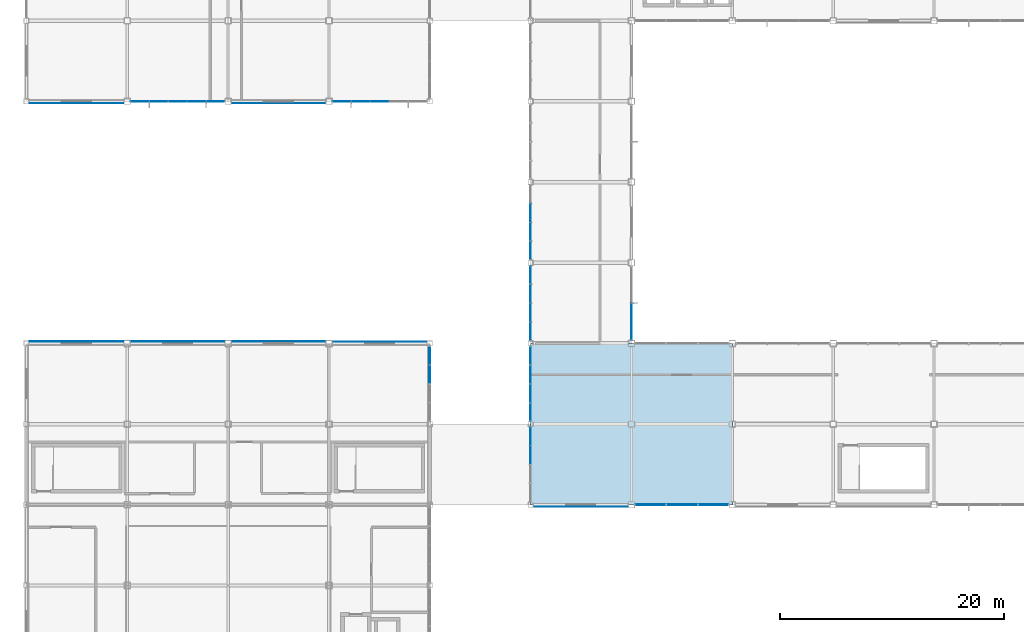
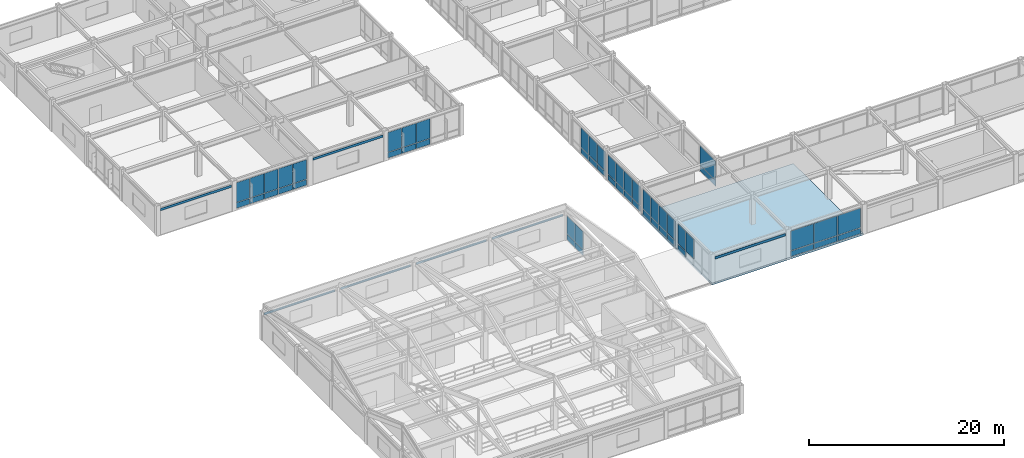
# One storey, part 84 of 113: 60 plates, 1 slab, 9 elements without a shape of their own.
"""IFC4 building model written with IfcOpenShell, lengths in metres."""

from ifc_helpers import new_model, si_unit, direction, frame, origin, origin_2d, place, context, subcontext, project, spatial, polyline, rectangle, outline, extrude, material, layer, layer_set, type_object, element, aggregate, save


model = new_model("IFC4")

# Units and contexts
model_context = context("Model", 3, precision=1e-05, world=origin(), true_north=direction((0.0, 1.0)))
body_context = subcontext(model_context, "Body", "Model", "MODEL_VIEW")
ifc_project = project(units=[si_unit("LENGTHUNIT", "METRE"), si_unit("AREAUNIT", "SQUARE_METRE"), si_unit("VOLUMEUNIT", "CUBIC_METRE"), si_unit("PLANEANGLEUNIT", "RADIAN"), si_unit("MASSUNIT", "GRAM", prefix="KILO")], contexts=[model_context])

# Site, building, storey
site_placement = place(None, origin())
site = spatial("IfcSite", under=ifc_project, at=site_placement, CompositionType="ELEMENT")
building_placement = place(site_placement, origin())
building = spatial("IfcBuilding", under=site, at=building_placement, Name="Kazanami Central Library", CompositionType="ELEMENT")
storey_placement = place(building_placement, frame((0.0, 0.0, 8.800048828125)))
storey = spatial("IfcBuildingStorey", under=building, at=storey_placement, Name="L03", CompositionType="ELEMENT", Elevation=8.800048828125)

# Curtain wall, plates
ifc_material_1 = material(Name="Acid-Etched Low-E Laminated Glass", Category="glass")
curtain_wall_type_1 = type_object("IfcCurtainWallType", Name="CW-8450x3330-M275", PredefinedType="USERDEFINED", material=ifc_material_1)
curtain_wall_1_placement = place(storey_placement, origin())
curtain_wall_1 = element("IfcCurtainWall", 1, at=curtain_wall_1_placement, inside=storey, type_object=curtain_wall_type_1, Name="Unitised Curtain Wall CW-25 L03 S-D-06", ObjectType="UNITISED CURTAIN WALL", PredefinedType="USERDEFINED")
ifc_layer_1 = layer(ifc_material_1, 0.035888671875, Name="Acid-Etched Low-E Laminated Glass")
ifc_layer_set_1 = layer_set([ifc_layer_1], Name="Acid-Etched Low-E Laminated Glass")
plate_type_1 = type_object("IfcPlateType", Name="PLT-CW-P1", PredefinedType="CURTAIN_PANEL", material=ifc_layer_set_1)
plate_1_placement = place(storey_placement, frame((55.700927734375, 21.60009765625, 0.81494140625), z_axis=(0.0, 0.0, 1.0), x_axis=(1.0, 0.0, 0.0)))
plate_1 = element("IfcPlate", 2, at=plate_1_placement, type_object=plate_type_1, Name="CW-25 panel 1.2", PredefinedType="CURTAIN_PANEL", context=body_context, shape_type="SweptSolid", body=[
    extrude(rectangle(XDim=2.711669921875, YDim=0.035888671875, at=origin_2d()), origin(), (0.0, 0.0, 1.0), 2.445068359375),
])
plate_2_placement = place(storey_placement, frame((58.5, 21.60009765625, 0.81494140625), z_axis=(0.0, 0.0, 1.0), x_axis=(1.0, 0.0, 0.0)))
plate_2 = element("IfcPlate", 3, at=plate_2_placement, type_object=plate_type_1, Name="CW-25 panel 2.2", PredefinedType="CURTAIN_PANEL", context=body_context, shape_type="SweptSolid", body=[
    extrude(rectangle(XDim=2.74658203125, YDim=0.035888671875, at=origin_2d()), origin(), (0.0, 0.0, 1.0), 2.445068359375),
])
plate_3_placement = place(storey_placement, frame((61.299072265625, 21.60009765625, 0.81494140625), z_axis=(0.0, 0.0, 1.0), x_axis=(1.0, 0.0, 0.0)))
plate_3 = element("IfcPlate", 4, at=plate_3_placement, type_object=plate_type_1, Name="CW-25 panel 3.2", PredefinedType="CURTAIN_PANEL", context=body_context, shape_type="SweptSolid", body=[
    extrude(rectangle(XDim=2.711669921875, YDim=0.035888671875, at=origin_2d()), origin(), (0.0, 0.0, 1.0), 2.445068359375),
])

curtain_wall_type_2 = type_object("IfcCurtainWallType", Name="CW-8450x3330-M180", PredefinedType="USERDEFINED", material=ifc_material_1)
curtain_wall_2_placement = place(storey_placement, origin())
curtain_wall_2 = element("IfcCurtainWall", 5, at=curtain_wall_2_placement, inside=storey, type_object=curtain_wall_type_2, Name="Unitised Curtain Wall CW-27 L03 S-J-01", ObjectType="UNITISED CURTAIN WALL", PredefinedType="USERDEFINED")
ifc_layer_2 = layer(ifc_material_1, 0.0439453125, Name="Acid-Etched Low-E Laminated Glass")
ifc_layer_set_2 = layer_set([ifc_layer_2], Name="Acid-Etched Low-E Laminated Glass")
plate_type_2 = type_object("IfcPlateType", Name="PLT-CW-P2", PredefinedType="CURTAIN_PANEL", material=ifc_layer_set_2)
plate_4_placement = place(storey_placement, frame((10.135009765625, 57.60009765625, 0.81005859375), z_axis=(0.0, 0.0, 1.0), x_axis=(1.0, 0.0, 0.0)))
plate_4 = element("IfcPlate", 6, at=plate_4_placement, type_object=plate_type_2, Name="CW-27 panel 1.2", PredefinedType="CURTAIN_PANEL", context=body_context, shape_type="SweptSolid", body=[
    extrude(rectangle(XDim=1.60009765625, YDim=0.0439453125, at=origin_2d()), origin(), (0.0, 0.0, 1.0), 2.4599609375),
])
plate_5_placement = place(storey_placement, frame((11.81005859375, 57.60009765625, 0.81005859375), z_axis=(0.0, 0.0, 1.0), x_axis=(1.0, 0.0, 0.0)))
plate_5 = element("IfcPlate", 7, at=plate_5_placement, type_object=plate_type_2, Name="CW-27 panel 2.2", PredefinedType="CURTAIN_PANEL", context=body_context, shape_type="SweptSolid", body=[
    extrude(rectangle(XDim=1.6298828125, YDim=0.0439453125, at=origin_2d()), origin(), (0.0, 0.0, 1.0), 2.4599609375),
])
plate_6_placement = place(storey_placement, frame((13.5, 57.60009765625, 0.81005859375), z_axis=(0.0, 0.0, 1.0), x_axis=(1.0, 0.0, 0.0)))
plate_6 = element("IfcPlate", 8, at=plate_6_placement, type_object=plate_type_2, Name="CW-27 panel 3.2", PredefinedType="CURTAIN_PANEL", context=body_context, shape_type="SweptSolid", body=[
    extrude(rectangle(XDim=1.6298828125, YDim=0.0439453125, at=origin_2d()), origin(), (0.0, 0.0, 1.0), 2.4599609375),
])
plate_7_placement = place(storey_placement, frame((15.18994140625, 57.60009765625, 0.81005859375), z_axis=(0.0, 0.0, 1.0), x_axis=(1.0, 0.0, 0.0)))
plate_7 = element("IfcPlate", 9, at=plate_7_placement, type_object=plate_type_2, Name="CW-27 panel 4.2", PredefinedType="CURTAIN_PANEL", context=body_context, shape_type="SweptSolid", body=[
    extrude(rectangle(XDim=1.6298828125, YDim=0.0439453125, at=origin_2d()), origin(), (0.0, 0.0, 1.0), 2.4599609375),
])
plate_8_placement = place(storey_placement, frame((16.864990234375, 57.60009765625, 0.81005859375), z_axis=(0.0, 0.0, 1.0), x_axis=(1.0, 0.0, 0.0)))
plate_8 = element("IfcPlate", 10, at=plate_8_placement, type_object=plate_type_2, Name="CW-27 panel 5.2", PredefinedType="CURTAIN_PANEL", context=body_context, shape_type="SweptSolid", body=[
    extrude(rectangle(XDim=1.60009765625, YDim=0.0439453125, at=origin_2d()), origin(), (0.0, 0.0, 1.0), 2.4599609375),
])

curtain_wall_type_3 = type_object("IfcCurtainWallType", Name="CW-8500x3330-M180", PredefinedType="USERDEFINED", material=ifc_material_1)
curtain_wall_3_placement = place(storey_placement, origin())
curtain_wall_3 = element("IfcCurtainWall", 11, at=curtain_wall_3_placement, inside=storey, type_object=curtain_wall_type_3, Name="Unitised Curtain Wall CW-28 L03 S-J-03", ObjectType="UNITISED CURTAIN WALL", PredefinedType="USERDEFINED")
plate_9_placement = place(storey_placement, frame((28.139892578125, 57.60009765625, 0.81005859375), z_axis=(0.0, 0.0, 1.0), x_axis=(1.0, 0.0, 0.0)))
plate_9 = element("IfcPlate", 12, at=plate_9_placement, type_object=plate_type_2, Name="CW-28 panel 1.2", PredefinedType="CURTAIN_PANEL", context=body_context, shape_type="SweptSolid", body=[
    extrude(rectangle(XDim=1.610107421875, YDim=0.0439453125, at=origin_2d()), origin(), (0.0, 0.0, 1.0), 2.4599609375),
])
plate_10_placement = place(storey_placement, frame((29.824951171875, 57.60009765625, 0.81005859375), z_axis=(0.0, 0.0, 1.0), x_axis=(1.0, 0.0, 0.0)))
plate_10 = element("IfcPlate", 13, at=plate_10_placement, type_object=plate_type_2, Name="CW-28 panel 2.2", PredefinedType="CURTAIN_PANEL", context=body_context, shape_type="SweptSolid", body=[
    extrude(rectangle(XDim=1.639892578125, YDim=0.0439453125, at=origin_2d()), origin(), (0.0, 0.0, 1.0), 2.4599609375),
])
plate_11_placement = place(storey_placement, frame((31.52490234375, 57.60009765625, 0.81005859375), z_axis=(0.0, 0.0, 1.0), x_axis=(1.0, 0.0, 0.0)))
plate_11 = element("IfcPlate", 14, at=plate_11_placement, type_object=plate_type_2, Name="CW-28 panel 3.2", PredefinedType="CURTAIN_PANEL", context=body_context, shape_type="SweptSolid", body=[
    extrude(rectangle(XDim=1.639892578125, YDim=0.0439453125, at=origin_2d()), origin(), (0.0, 0.0, 1.0), 2.4599609375),
])

# Curtain wall, plate
curtain_wall_type_4 = type_object("IfcCurtainWallType", Name="CW-6650x3295-M275", PredefinedType="USERDEFINED", material=ifc_material_1)
curtain_wall_4_placement = place(storey_placement, origin())
curtain_wall_4 = element("IfcCurtainWall", 15, at=curtain_wall_4_placement, inside=storey, type_object=curtain_wall_type_4, Name="Unitised Curtain Wall CW-35 L03 E-7-05", ObjectType="UNITISED CURTAIN WALL", PredefinedType="USERDEFINED")
plate_12_placement = place(storey_placement, frame((54.0, 37.955078125, 0.81494140625), z_axis=(0.0, 0.0, 1.0), x_axis=(0.0, -1.0, 0.0)))
plate_12 = element("IfcPlate", 16, at=plate_12_placement, type_object=plate_type_2, Name="CW-35 panel 2.2", PredefinedType="CURTAIN_PANEL", context=body_context, shape_type="SweptSolid", body=[
    extrude(rectangle(XDim=3.219970703125, YDim=0.0439453125, at=origin_2d()), origin(), (0.0, 0.0, 1.0), 2.409912109375),
])

# Curtain wall, plates
curtain_wall_type_5 = type_object("IfcCurtainWallType", Name="CW-6750x3130-M180", PredefinedType="USERDEFINED", material=ifc_material_1)
curtain_wall_5_placement = place(storey_placement, origin())
curtain_wall_5 = element("IfcCurtainWall", 17, at=curtain_wall_5_placement, inside=storey, type_object=curtain_wall_type_5, Name="Covered Link Bridge Curtain Wall CW-33 L03 E-5-04", ObjectType="UNITISED CURTAIN WALL", PredefinedType="USERDEFINED")
ifc_material_2 = material(Name="Low-E Insulated Triple Glass", Category="glass")
ifc_layer_3 = layer(ifc_material_2, 0.0400390625, Name="Low-E Insulated Triple Glass")
ifc_layer_set_3 = layer_set([ifc_layer_3], Name="Low-E Insulated Triple Glass")
plate_type_3 = type_object("IfcPlateType", Name="PLT-CW-P3", PredefinedType="CURTAIN_PANEL", material=ifc_layer_set_3)
plate_13_placement = place(storey_placement, frame((36.0, 34.916259765625, 0.81005859375), z_axis=(0.0, 0.0, 1.0), x_axis=(0.0, -1.0, 0.0)))
plate_13 = element("IfcPlate", 18, at=plate_13_placement, type_object=plate_type_3, Name="CW-33 panel 1.2", PredefinedType="CURTAIN_PANEL", context=body_context, shape_type="SweptSolid", body=[
    extrude(rectangle(XDim=1.597412109375, YDim=0.0400390625, at=origin_2d()), origin(), (0.0, 0.0, 1.0), 2.260009765625),
])
plate_14_placement = place(storey_placement, frame((36.0, 33.24365234375, 0.81005859375), z_axis=(0.0, 0.0, 1.0), x_axis=(0.0, -1.0, 0.0)))
plate_14 = element("IfcPlate", 19, at=plate_14_placement, type_object=plate_type_3, Name="CW-33 panel 2.2", PredefinedType="CURTAIN_PANEL", context=body_context, shape_type="SweptSolid", body=[
    extrude(rectangle(XDim=1.62744140625, YDim=0.0400390625, at=origin_2d()), origin(), (0.0, 0.0, 1.0), 2.260009765625),
])

curtain_wall_type_6 = type_object("IfcCurtainWallType", Name="CW-6750x3330-M180", PredefinedType="USERDEFINED", material=ifc_material_1)
curtain_wall_6_placement = place(storey_placement, origin())
curtain_wall_6 = element("IfcCurtainWall", 20, at=curtain_wall_6_placement, inside=storey, type_object=curtain_wall_type_6, Name="Covered Link Bridge Curtain Wall CW-34 L03 W-6-03", ObjectType="UNITISED CURTAIN WALL", PredefinedType="USERDEFINED")
plate_15_placement = place(storey_placement, frame((45.0, 26.043701171875, 0.81494140625), z_axis=(0.0, 0.0, 1.0), x_axis=(0.0, 1.0, 0.0)))
plate_15 = element("IfcPlate", 21, at=plate_15_placement, type_object=plate_type_3, Name="CW-34 panel 3.2", PredefinedType="CURTAIN_PANEL", context=body_context, shape_type="SweptSolid", body=[
    extrude(rectangle(XDim=1.617431640625, YDim=0.0400390625, at=origin_2d()), origin(), (0.0, 0.0, 1.0), 2.445068359375),
])
plate_16_placement = place(storey_placement, frame((45.0, 27.7138671875, 0.81494140625), z_axis=(0.0, 0.0, 1.0), x_axis=(0.0, 1.0, 0.0)))
plate_16 = element("IfcPlate", 22, at=plate_16_placement, type_object=plate_type_3, Name="CW-34 panel 4.2", PredefinedType="CURTAIN_PANEL", context=body_context, shape_type="SweptSolid", body=[
    extrude(rectangle(XDim=1.58251953125, YDim=0.0400390625, at=origin_2d()), origin(), (0.0, 0.0, 1.0), 2.445068359375),
])

curtain_wall_7_placement = place(storey_placement, origin())
curtain_wall_7 = element("IfcCurtainWall", 23, at=curtain_wall_7_placement, inside=storey, type_object=curtain_wall_type_6, Name="Covered Link Bridge Curtain Wall CW-34 L03 W-6-04", ObjectType="UNITISED CURTAIN WALL", PredefinedType="USERDEFINED")
plate_17_placement = place(storey_placement, frame((45.0, 29.88623046875, 0.81494140625), z_axis=(0.0, 0.0, 1.0), x_axis=(0.0, 1.0, 0.0)))
plate_17 = element("IfcPlate", 24, at=plate_17_placement, type_object=plate_type_3, Name="CW-34 panel 1.2", PredefinedType="CURTAIN_PANEL", context=body_context, shape_type="SweptSolid", body=[
    extrude(rectangle(XDim=1.58251953125, YDim=0.0400390625, at=origin_2d()), origin(), (0.0, 0.0, 1.0), 2.445068359375),
])
plate_18_placement = place(storey_placement, frame((45.0, 31.55615234375, 0.81494140625), z_axis=(0.0, 0.0, 1.0), x_axis=(0.0, 1.0, 0.0)))
plate_18 = element("IfcPlate", 25, at=plate_18_placement, type_object=plate_type_3, Name="CW-34 panel 2.2", PredefinedType="CURTAIN_PANEL", context=body_context, shape_type="SweptSolid", body=[
    extrude(rectangle(XDim=1.617431640625, YDim=0.0400390625, at=origin_2d()), origin(), (0.0, 0.0, 1.0), 2.445068359375),
])
plate_19_placement = place(storey_placement, frame((45.0, 33.24365234375, 0.81494140625), z_axis=(0.0, 0.0, 1.0), x_axis=(0.0, 1.0, 0.0)))
plate_19 = element("IfcPlate", 26, at=plate_19_placement, type_object=plate_type_3, Name="CW-34 panel 3.2", PredefinedType="CURTAIN_PANEL", context=body_context, shape_type="SweptSolid", body=[
    extrude(rectangle(XDim=1.617431640625, YDim=0.0400390625, at=origin_2d()), origin(), (0.0, 0.0, 1.0), 2.445068359375),
])
plate_20_placement = place(storey_placement, frame((45.0, 34.913818359375, 0.81494140625), z_axis=(0.0, 0.0, 1.0), x_axis=(0.0, 1.0, 0.0)))
plate_20 = element("IfcPlate", 27, at=plate_20_placement, type_object=plate_type_3, Name="CW-34 panel 4.2", PredefinedType="CURTAIN_PANEL", context=body_context, shape_type="SweptSolid", body=[
    extrude(rectangle(XDim=1.58251953125, YDim=0.0400390625, at=origin_2d()), origin(), (0.0, 0.0, 1.0), 2.445068359375),
])

curtain_wall_type_7 = type_object("IfcCurtainWallType", Name="CW-6750x3295-M180", PredefinedType="USERDEFINED", material=ifc_material_1)
curtain_wall_8_placement = place(storey_placement, origin())
curtain_wall_8 = element("IfcCurtainWall", 28, at=curtain_wall_8_placement, inside=storey, type_object=curtain_wall_type_7, Name="Covered Link Bridge Curtain Wall CW-32 L03 W-6-05", ObjectType="UNITISED CURTAIN WALL", PredefinedType="USERDEFINED")
plate_21_placement = place(storey_placement, frame((45.0, 37.086181640625, 0.81494140625), z_axis=(0.0, 0.0, 1.0), x_axis=(0.0, 1.0, 0.0)))
plate_21 = element("IfcPlate", 29, at=plate_21_placement, type_object=plate_type_3, Name="CW-32 panel 1.2", PredefinedType="CURTAIN_PANEL", context=body_context, shape_type="SweptSolid", body=[
    extrude(rectangle(XDim=1.58251953125, YDim=0.0400390625, at=origin_2d()), origin(), (0.0, 0.0, 1.0), 2.409912109375),
])
plate_22_placement = place(storey_placement, frame((45.0, 38.75634765625, 0.81494140625), z_axis=(0.0, 0.0, 1.0), x_axis=(0.0, 1.0, 0.0)))
plate_22 = element("IfcPlate", 30, at=plate_22_placement, type_object=plate_type_3, Name="CW-32 panel 2.2", PredefinedType="CURTAIN_PANEL", context=body_context, shape_type="SweptSolid", body=[
    extrude(rectangle(XDim=1.617431640625, YDim=0.0400390625, at=origin_2d()), origin(), (0.0, 0.0, 1.0), 2.409912109375),
])
plate_23_placement = place(storey_placement, frame((45.0, 40.44384765625, 0.81494140625), z_axis=(0.0, 0.0, 1.0), x_axis=(0.0, 1.0, 0.0)))
plate_23 = element("IfcPlate", 31, at=plate_23_placement, type_object=plate_type_3, Name="CW-32 panel 3.2", PredefinedType="CURTAIN_PANEL", context=body_context, shape_type="SweptSolid", body=[
    extrude(rectangle(XDim=1.617431640625, YDim=0.0400390625, at=origin_2d()), origin(), (0.0, 0.0, 1.0), 2.409912109375),
])
plate_24_placement = place(storey_placement, frame((45.0, 42.11376953125, 0.81494140625), z_axis=(0.0, 0.0, 1.0), x_axis=(0.0, 1.0, 0.0)))
plate_24 = element("IfcPlate", 32, at=plate_24_placement, type_object=plate_type_3, Name="CW-32 panel 4.2", PredefinedType="CURTAIN_PANEL", context=body_context, shape_type="SweptSolid", body=[
    extrude(rectangle(XDim=1.58251953125, YDim=0.0400390625, at=origin_2d()), origin(), (0.0, 0.0, 1.0), 2.409912109375),
])

curtain_wall_9_placement = place(storey_placement, origin())
curtain_wall_9 = element("IfcCurtainWall", 33, at=curtain_wall_9_placement, inside=storey, type_object=curtain_wall_type_7, Name="Covered Link Bridge Curtain Wall CW-32 L03 W-6-06", ObjectType="UNITISED CURTAIN WALL", PredefinedType="USERDEFINED")
plate_25_placement = place(storey_placement, frame((45.0, 44.2861328125, 0.81494140625), z_axis=(0.0, 0.0, 1.0), x_axis=(0.0, 1.0, 0.0)))
plate_25 = element("IfcPlate", 34, at=plate_25_placement, type_object=plate_type_3, Name="CW-32 panel 1.2", PredefinedType="CURTAIN_PANEL", context=body_context, shape_type="SweptSolid", body=[
    extrude(rectangle(XDim=1.58251953125, YDim=0.0400390625, at=origin_2d()), origin(), (0.0, 0.0, 1.0), 2.409912109375),
])
plate_26_placement = place(storey_placement, frame((45.0, 45.956298828125, 0.81494140625), z_axis=(0.0, 0.0, 1.0), x_axis=(0.0, 1.0, 0.0)))
plate_26 = element("IfcPlate", 35, at=plate_26_placement, type_object=plate_type_3, Name="CW-32 panel 2.2", PredefinedType="CURTAIN_PANEL", context=body_context, shape_type="SweptSolid", body=[
    extrude(rectangle(XDim=1.617431640625, YDim=0.0400390625, at=origin_2d()), origin(), (0.0, 0.0, 1.0), 2.409912109375),
])
plate_27_placement = place(storey_placement, frame((45.0, 47.643798828125, 0.81494140625), z_axis=(0.0, 0.0, 1.0), x_axis=(0.0, 1.0, 0.0)))
plate_27 = element("IfcPlate", 36, at=plate_27_placement, type_object=plate_type_3, Name="CW-32 panel 3.2", PredefinedType="CURTAIN_PANEL", context=body_context, shape_type="SweptSolid", body=[
    extrude(rectangle(XDim=1.617431640625, YDim=0.0400390625, at=origin_2d()), origin(), (0.0, 0.0, 1.0), 2.409912109375),
])

# Plate
ifc_material_3 = material(Name="Anodised Aluminium A5052-H32", Category="aluminium")
ifc_layer_4 = layer(ifc_material_3, 0.06005859375, Name="Anodised Aluminium A5052-H32")
ifc_layer_set_4 = layer_set([ifc_layer_4], Name="Anodised Aluminium A5052-H32")
plate_type_4 = type_object("IfcPlateType", Name="PLT-CW-SP1", PredefinedType="CURTAIN_PANEL", material=ifc_layer_set_4)
plate_28_placement = place(storey_placement, frame((55.700927734375, 21.60009765625, 0.06982421875), z_axis=(0.0, 0.0, 1.0), x_axis=(1.0, 0.0, 0.0)))
plate_28 = element("IfcPlate", 37, at=plate_28_placement, type_object=plate_type_4, Name="CW-25 panel 1.1", PredefinedType="CURTAIN_PANEL", context=body_context, shape_type="SweptSolid", body=[
    extrude(rectangle(XDim=2.711669921875, YDim=0.06005859375, at=origin_2d()), origin(), (0.0, 0.0, 1.0), 0.675048828125),
])

plate_29_placement = place(storey_placement, frame((58.5, 21.60009765625, 0.06982421875), z_axis=(0.0, 0.0, 1.0), x_axis=(1.0, 0.0, 0.0)))
plate_29 = element("IfcPlate", 38, at=plate_29_placement, type_object=plate_type_4, Name="CW-25 panel 2.1", PredefinedType="CURTAIN_PANEL", context=body_context, shape_type="SweptSolid", body=[
    extrude(rectangle(XDim=2.74658203125, YDim=0.06005859375, at=origin_2d()), origin(), (0.0, 0.0, 1.0), 0.675048828125),
])

plate_30_placement = place(storey_placement, frame((61.299072265625, 21.60009765625, 0.06982421875), z_axis=(0.0, 0.0, 1.0), x_axis=(1.0, 0.0, 0.0)))
plate_30 = element("IfcPlate", 39, at=plate_30_placement, type_object=plate_type_4, Name="CW-25 panel 3.1", PredefinedType="CURTAIN_PANEL", context=body_context, shape_type="SweptSolid", body=[
    extrude(rectangle(XDim=2.711669921875, YDim=0.06005859375, at=origin_2d()), origin(), (0.0, 0.0, 1.0), 0.675048828125),
])

aggregate(curtain_wall_1, [plate_28, plate_1, plate_29, plate_2, plate_30, plate_3])

plate_31_placement = place(storey_placement, frame((45.0, 27.7138671875, 0.06982421875), z_axis=(0.0, 0.0, 1.0), x_axis=(0.0, 1.0, 0.0)))
plate_31 = element("IfcPlate", 40, at=plate_31_placement, type_object=plate_type_4, Name="CW-34 panel 4.1", PredefinedType="CURTAIN_PANEL", context=body_context, shape_type="SweptSolid", body=[
    extrude(rectangle(XDim=1.58251953125, YDim=0.06005859375, at=origin_2d()), origin(), (0.0, 0.0, 1.0), 0.675048828125),
])

aggregate(curtain_wall_6, [plate_15, plate_31, plate_16])

plate_32_placement = place(storey_placement, frame((45.0, 29.88623046875, 0.06982421875), z_axis=(0.0, 0.0, 1.0), x_axis=(0.0, 1.0, 0.0)))
plate_32 = element("IfcPlate", 41, at=plate_32_placement, type_object=plate_type_4, Name="CW-34 panel 1.1", PredefinedType="CURTAIN_PANEL", context=body_context, shape_type="SweptSolid", body=[
    extrude(rectangle(XDim=1.58251953125, YDim=0.06005859375, at=origin_2d()), origin(), (0.0, 0.0, 1.0), 0.675048828125),
])

plate_33_placement = place(storey_placement, frame((45.0, 31.55615234375, 0.06982421875), z_axis=(0.0, 0.0, 1.0), x_axis=(0.0, 1.0, 0.0)))
plate_33 = element("IfcPlate", 42, at=plate_33_placement, type_object=plate_type_4, Name="CW-34 panel 2.1", PredefinedType="CURTAIN_PANEL", context=body_context, shape_type="SweptSolid", body=[
    extrude(rectangle(XDim=1.617431640625, YDim=0.06005859375, at=origin_2d()), origin(), (0.0, 0.0, 1.0), 0.675048828125),
])

plate_34_placement = place(storey_placement, frame((45.0, 33.24365234375, 0.06982421875), z_axis=(0.0, 0.0, 1.0), x_axis=(0.0, 1.0, 0.0)))
plate_34 = element("IfcPlate", 43, at=plate_34_placement, type_object=plate_type_4, Name="CW-34 panel 3.1", PredefinedType="CURTAIN_PANEL", context=body_context, shape_type="SweptSolid", body=[
    extrude(rectangle(XDim=1.617431640625, YDim=0.06005859375, at=origin_2d()), origin(), (0.0, 0.0, 1.0), 0.675048828125),
])

plate_35_placement = place(storey_placement, frame((45.0, 34.913818359375, 0.06982421875), z_axis=(0.0, 0.0, 1.0), x_axis=(0.0, 1.0, 0.0)))
plate_35 = element("IfcPlate", 44, at=plate_35_placement, type_object=plate_type_4, Name="CW-34 panel 4.1", PredefinedType="CURTAIN_PANEL", context=body_context, shape_type="SweptSolid", body=[
    extrude(rectangle(XDim=1.58251953125, YDim=0.06005859375, at=origin_2d()), origin(), (0.0, 0.0, 1.0), 0.675048828125),
])

aggregate(curtain_wall_7, [plate_32, plate_17, plate_33, plate_18, plate_34, plate_19, plate_35, plate_20])

plate_36_placement = place(storey_placement, frame((45.0, 37.086181640625, 0.06982421875), z_axis=(0.0, 0.0, 1.0), x_axis=(0.0, 1.0, 0.0)))
plate_36 = element("IfcPlate", 45, at=plate_36_placement, type_object=plate_type_4, Name="CW-32 panel 1.1", PredefinedType="CURTAIN_PANEL", context=body_context, shape_type="SweptSolid", body=[
    extrude(rectangle(XDim=1.58251953125, YDim=0.06005859375, at=origin_2d()), origin(), (0.0, 0.0, 1.0), 0.675048828125),
])

plate_37_placement = place(storey_placement, frame((45.0, 38.75634765625, 0.06982421875), z_axis=(0.0, 0.0, 1.0), x_axis=(0.0, 1.0, 0.0)))
plate_37 = element("IfcPlate", 46, at=plate_37_placement, type_object=plate_type_4, Name="CW-32 panel 2.1", PredefinedType="CURTAIN_PANEL", context=body_context, shape_type="SweptSolid", body=[
    extrude(rectangle(XDim=1.617431640625, YDim=0.06005859375, at=origin_2d()), origin(), (0.0, 0.0, 1.0), 0.675048828125),
])

plate_38_placement = place(storey_placement, frame((45.0, 40.44384765625, 0.06982421875), z_axis=(0.0, 0.0, 1.0), x_axis=(0.0, 1.0, 0.0)))
plate_38 = element("IfcPlate", 47, at=plate_38_placement, type_object=plate_type_4, Name="CW-32 panel 3.1", PredefinedType="CURTAIN_PANEL", context=body_context, shape_type="SweptSolid", body=[
    extrude(rectangle(XDim=1.617431640625, YDim=0.06005859375, at=origin_2d()), origin(), (0.0, 0.0, 1.0), 0.675048828125),
])

plate_39_placement = place(storey_placement, frame((45.0, 42.11376953125, 0.06982421875), z_axis=(0.0, 0.0, 1.0), x_axis=(0.0, 1.0, 0.0)))
plate_39 = element("IfcPlate", 48, at=plate_39_placement, type_object=plate_type_4, Name="CW-32 panel 4.1", PredefinedType="CURTAIN_PANEL", context=body_context, shape_type="SweptSolid", body=[
    extrude(rectangle(XDim=1.58251953125, YDim=0.06005859375, at=origin_2d()), origin(), (0.0, 0.0, 1.0), 0.675048828125),
])

aggregate(curtain_wall_8, [plate_36, plate_21, plate_37, plate_22, plate_38, plate_23, plate_39, plate_24])

plate_40_placement = place(storey_placement, frame((45.0, 44.2861328125, 0.06982421875), z_axis=(0.0, 0.0, 1.0), x_axis=(0.0, 1.0, 0.0)))
plate_40 = element("IfcPlate", 49, at=plate_40_placement, type_object=plate_type_4, Name="CW-32 panel 1.1", PredefinedType="CURTAIN_PANEL", context=body_context, shape_type="SweptSolid", body=[
    extrude(rectangle(XDim=1.58251953125, YDim=0.06005859375, at=origin_2d()), origin(), (0.0, 0.0, 1.0), 0.675048828125),
])

plate_41_placement = place(storey_placement, frame((45.0, 45.956298828125, 0.06982421875), z_axis=(0.0, 0.0, 1.0), x_axis=(0.0, 1.0, 0.0)))
plate_41 = element("IfcPlate", 50, at=plate_41_placement, type_object=plate_type_4, Name="CW-32 panel 2.1", PredefinedType="CURTAIN_PANEL", context=body_context, shape_type="SweptSolid", body=[
    extrude(rectangle(XDim=1.617431640625, YDim=0.06005859375, at=origin_2d()), origin(), (0.0, 0.0, 1.0), 0.675048828125),
])

plate_42_placement = place(storey_placement, frame((45.0, 47.643798828125, 0.06982421875), z_axis=(0.0, 0.0, 1.0), x_axis=(0.0, 1.0, 0.0)))
plate_42 = element("IfcPlate", 51, at=plate_42_placement, type_object=plate_type_4, Name="CW-32 panel 3.1", PredefinedType="CURTAIN_PANEL", context=body_context, shape_type="SweptSolid", body=[
    extrude(rectangle(XDim=1.617431640625, YDim=0.06005859375, at=origin_2d()), origin(), (0.0, 0.0, 1.0), 0.675048828125),
])

aggregate(curtain_wall_9, [plate_40, plate_25, plate_41, plate_26, plate_42, plate_27])

plate_43_placement = place(storey_placement, frame((54.0, 37.955078125, 0.06982421875), z_axis=(0.0, 0.0, 1.0), x_axis=(0.0, -1.0, 0.0)))
plate_43 = element("IfcPlate", 52, at=plate_43_placement, type_object=plate_type_4, Name="CW-35 panel 2.1", PredefinedType="CURTAIN_PANEL", context=body_context, shape_type="SweptSolid", body=[
    extrude(rectangle(XDim=3.219970703125, YDim=0.06005859375, at=origin_2d()), origin(), (0.0, 0.0, 1.0), 0.675048828125),
])

aggregate(curtain_wall_4, [plate_43, plate_12])

ifc_layer_5 = layer(ifc_material_3, 0.052001953125, Name="Anodised Aluminium A5052-H32")
ifc_layer_set_5 = layer_set([ifc_layer_5], Name="Anodised Aluminium A5052-H32")
plate_type_5 = type_object("IfcPlateType", Name="PLT-CW-SP2", PredefinedType="CURTAIN_PANEL", material=ifc_layer_set_5)
plate_44_placement = place(storey_placement, frame((36.0, 34.916259765625, 0.06005859375), z_axis=(0.0, 0.0, 1.0), x_axis=(0.0, -1.0, 0.0)))
plate_44 = element("IfcPlate", 53, at=plate_44_placement, type_object=plate_type_5, Name="CW-33 panel 1.1", PredefinedType="CURTAIN_PANEL", context=body_context, shape_type="SweptSolid", body=[
    extrude(rectangle(XDim=1.597412109375, YDim=0.052001953125, at=origin_2d()), origin(), (0.0, 0.0, 1.0), 0.68994140625),
])

plate_45_placement = place(storey_placement, frame((36.0, 33.24365234375, 0.06005859375), z_axis=(0.0, 0.0, 1.0), x_axis=(0.0, -1.0, 0.0)))
plate_45 = element("IfcPlate", 54, at=plate_45_placement, type_object=plate_type_5, Name="CW-33 panel 2.1", PredefinedType="CURTAIN_PANEL", context=body_context, shape_type="SweptSolid", body=[
    extrude(rectangle(XDim=1.62744140625, YDim=0.052001953125, at=origin_2d()), origin(), (0.0, 0.0, 1.0), 0.68994140625),
])

aggregate(curtain_wall_5, [plate_44, plate_13, plate_45, plate_14])

ifc_layer_6 = layer(ifc_material_3, 0.048095703125, Name="Anodised Aluminium A5052-H32")
ifc_layer_set_6 = layer_set([ifc_layer_6], Name="Anodised Aluminium A5052-H32")
plate_type_6 = type_object("IfcPlateType", Name="PLT-CW-SP3", PredefinedType="CURTAIN_PANEL", material=ifc_layer_set_6)
plate_46_placement = place(storey_placement, frame((10.135009765625, 57.60009765625, 0.06005859375), z_axis=(0.0, 0.0, 1.0), x_axis=(1.0, 0.0, 0.0)))
plate_46 = element("IfcPlate", 55, at=plate_46_placement, type_object=plate_type_6, Name="CW-27 panel 1.1", PredefinedType="CURTAIN_PANEL", context=body_context, shape_type="SweptSolid", body=[
    extrude(rectangle(XDim=1.60009765625, YDim=0.048095703125, at=origin_2d()), origin(), (0.0, 0.0, 1.0), 0.68994140625),
])

plate_47_placement = place(storey_placement, frame((11.81005859375, 57.60009765625, 0.06005859375), z_axis=(0.0, 0.0, 1.0), x_axis=(1.0, 0.0, 0.0)))
plate_47 = element("IfcPlate", 56, at=plate_47_placement, type_object=plate_type_6, Name="CW-27 panel 2.1", PredefinedType="CURTAIN_PANEL", context=body_context, shape_type="SweptSolid", body=[
    extrude(rectangle(XDim=1.6298828125, YDim=0.048095703125, at=origin_2d()), origin(), (0.0, 0.0, 1.0), 0.68994140625),
])

plate_48_placement = place(storey_placement, frame((13.5, 57.60009765625, 0.06005859375), z_axis=(0.0, 0.0, 1.0), x_axis=(1.0, 0.0, 0.0)))
plate_48 = element("IfcPlate", 57, at=plate_48_placement, type_object=plate_type_6, Name="CW-27 panel 3.1", PredefinedType="CURTAIN_PANEL", context=body_context, shape_type="SweptSolid", body=[
    extrude(rectangle(XDim=1.6298828125, YDim=0.048095703125, at=origin_2d()), origin(), (0.0, 0.0, 1.0), 0.68994140625),
])

plate_49_placement = place(storey_placement, frame((15.18994140625, 57.60009765625, 0.06005859375), z_axis=(0.0, 0.0, 1.0), x_axis=(1.0, 0.0, 0.0)))
plate_49 = element("IfcPlate", 58, at=plate_49_placement, type_object=plate_type_6, Name="CW-27 panel 4.1", PredefinedType="CURTAIN_PANEL", context=body_context, shape_type="SweptSolid", body=[
    extrude(rectangle(XDim=1.6298828125, YDim=0.048095703125, at=origin_2d()), origin(), (0.0, 0.0, 1.0), 0.68994140625),
])

plate_50_placement = place(storey_placement, frame((16.864990234375, 57.60009765625, 0.06005859375), z_axis=(0.0, 0.0, 1.0), x_axis=(1.0, 0.0, 0.0)))
plate_50 = element("IfcPlate", 59, at=plate_50_placement, type_object=plate_type_6, Name="CW-27 panel 5.1", PredefinedType="CURTAIN_PANEL", context=body_context, shape_type="SweptSolid", body=[
    extrude(rectangle(XDim=1.60009765625, YDim=0.048095703125, at=origin_2d()), origin(), (0.0, 0.0, 1.0), 0.68994140625),
])

aggregate(curtain_wall_2, [plate_46, plate_4, plate_47, plate_5, plate_48, plate_6, plate_49, plate_7, plate_50, plate_8])

plate_51_placement = place(storey_placement, frame((28.139892578125, 57.60009765625, 0.06005859375), z_axis=(0.0, 0.0, 1.0), x_axis=(1.0, 0.0, 0.0)))
plate_51 = element("IfcPlate", 60, at=plate_51_placement, type_object=plate_type_6, Name="CW-28 panel 1.1", PredefinedType="CURTAIN_PANEL", context=body_context, shape_type="SweptSolid", body=[
    extrude(rectangle(XDim=1.610107421875, YDim=0.048095703125, at=origin_2d()), origin(), (0.0, 0.0, 1.0), 0.68994140625),
])

plate_52_placement = place(storey_placement, frame((29.824951171875, 57.60009765625, 0.06005859375), z_axis=(0.0, 0.0, 1.0), x_axis=(1.0, 0.0, 0.0)))
plate_52 = element("IfcPlate", 61, at=plate_52_placement, type_object=plate_type_6, Name="CW-28 panel 2.1", PredefinedType="CURTAIN_PANEL", context=body_context, shape_type="SweptSolid", body=[
    extrude(rectangle(XDim=1.639892578125, YDim=0.048095703125, at=origin_2d()), origin(), (0.0, 0.0, 1.0), 0.68994140625),
])

plate_53_placement = place(storey_placement, frame((31.52490234375, 57.60009765625, 0.06005859375), z_axis=(0.0, 0.0, 1.0), x_axis=(1.0, 0.0, 0.0)))
plate_53 = element("IfcPlate", 62, at=plate_53_placement, type_object=plate_type_6, Name="CW-28 panel 3.1", PredefinedType="CURTAIN_PANEL", context=body_context, shape_type="SweptSolid", body=[
    extrude(rectangle(XDim=1.639892578125, YDim=0.048095703125, at=origin_2d()), origin(), (0.0, 0.0, 1.0), 0.68994140625),
])

aggregate(curtain_wall_3, [plate_51, plate_9, plate_52, plate_10, plate_53, plate_11])

# Plates
ifc_layer_7 = layer(ifc_material_3, 0.010009765625, Name="Anodised Aluminium A5052-H32")
ifc_layer_set_7 = layer_set([ifc_layer_7], Name="Anodised Aluminium A5052-H32")
plate_type_7 = type_object("IfcPlateType", Name="PLT-SPN-10", PredefinedType="SHEET", material=ifc_layer_set_7)
plate_54_placement = place(storey_placement, frame((31.52490234375, 36.1650390625, 2.81982421875), z_axis=(0.0, 0.0, 1.0), x_axis=(-1.0, 0.0, 0.0)))
element("IfcPlate", 63, at=plate_54_placement, inside=storey, type_object=plate_type_7, Name="Architectural Spandrel Sheet SPN-10 L03 N-F-03", PredefinedType="SHEET", context=body_context, shape_type="SweptSolid", body=[
    extrude(rectangle(XDim=8.39990234375, YDim=0.010009765625, at=origin_2d()), origin(), (0.0, 0.0, 1.0), 0.300048828125),
])
ifc_layer_8 = layer(ifc_material_3, 0.013916015625, Name="Anodised Aluminium A5052-H32")
ifc_layer_set_8 = layer_set([ifc_layer_8], Name="Anodised Aluminium A5052-H32")
plate_type_8 = type_object("IfcPlateType", Name="PLT-SPN-14", PredefinedType="SHEET", material=ifc_layer_set_8)
plate_55_placement = place(storey_placement, frame((49.47509765625, 21.43310546875, 3.02001953125), z_axis=(0.0, 0.0, 1.0), x_axis=(1.0, 0.0, 0.0)))
element("IfcPlate", 64, at=plate_55_placement, inside=storey, type_object=plate_type_8, Name="Architectural Spandrel Sheet SPN-14 L03 S-D-05", PredefinedType="SHEET", context=body_context, shape_type="SweptSolid", body=[
    extrude(rectangle(XDim=8.39990234375, YDim=0.013916015625, at=origin_2d()), origin(), (0.0, 0.0, 1.0), 0.300048828125),
])
ifc_layer_9 = layer(ifc_material_3, 0.01611328125, Name="Anodised Aluminium A5052-H32")
ifc_layer_set_9 = layer_set([ifc_layer_9], Name="Anodised Aluminium A5052-H32")
plate_type_9 = type_object("IfcPlateType", Name="PLT-SPN-16", PredefinedType="SHEET", material=ifc_layer_set_9)
for number, where, z_axis, x_axis, name in (
    (65, (4.47509765625, 36.16796875, 2.81982421875), (0.0, 0.0, 1.0), (-1.0, 0.0, 0.0), "Architectural Spandrel Sheet SPN-16 L03 N-F-00"),
    (66, (4.47509765625, 57.431884765625, 3.02001953125), (0.0, 0.0, 1.0), (1.0, 0.0, 0.0), "Architectural Spandrel Sheet SPN-16 L03 S-J-00"),
):
    element("IfcPlate", number, at=place(storey_placement, frame(where, z_axis=z_axis, x_axis=x_axis)), inside=storey, type_object=plate_type_9, Name=name, PredefinedType="SHEET", context=body_context, shape_type="SweptSolid", body=[
        extrude(rectangle(XDim=8.39990234375, YDim=0.01611328125, at=origin_2d()), origin(), (0.0, 0.0, 1.0), 0.300048828125),
    ])
ifc_layer_10 = layer(ifc_material_3, 0.01806640625, Name="Anodised Aluminium A5052-H32")
ifc_layer_set_10 = layer_set([ifc_layer_10], Name="Anodised Aluminium A5052-H32")
plate_type_10 = type_object("IfcPlateType", Name="PLT-SPN-18", PredefinedType="SHEET", material=ifc_layer_set_10)
plate_56_placement = place(storey_placement, frame((13.5, 36.1689453125, 2.81982421875), z_axis=(0.0, 0.0, 1.0), x_axis=(-1.0, 0.0, 0.0)))
element("IfcPlate", 67, at=plate_56_placement, inside=storey, type_object=plate_type_10, Name="Architectural Spandrel Sheet SPN-18 L03 N-F-01", PredefinedType="SHEET", context=body_context, shape_type="SweptSolid", body=[
    extrude(rectangle(XDim=8.35009765625, YDim=0.01806640625, at=origin_2d()), origin(), (0.0, 0.0, 1.0), 0.300048828125),
])
ifc_layer_11 = layer(ifc_material_3, 0.02001953125, Name="Anodised Aluminium A5052-H32")
ifc_layer_set_11 = layer_set([ifc_layer_11], Name="Anodised Aluminium A5052-H32")
plate_type_11 = type_object("IfcPlateType", Name="PLT-SPN-20", PredefinedType="SHEET", material=ifc_layer_set_11)
for number, where, z_axis, x_axis, name in (
    (68, (22.5, 36.169921875, 2.81982421875), (0.0, 0.0, 1.0), (-1.0, 0.0, 0.0), "Architectural Spandrel Sheet SPN-20 L03 N-F-02"),
    (69, (22.5, 57.429931640625, 3.02001953125), (0.0, 0.0, 1.0), (1.0, 0.0, 0.0), "Architectural Spandrel Sheet SPN-20 L03 S-J-02"),
):
    element("IfcPlate", number, at=place(storey_placement, frame(where, z_axis=z_axis, x_axis=x_axis)), inside=storey, type_object=plate_type_11, Name=name, PredefinedType="SHEET", context=body_context, shape_type="SweptSolid", body=[
        extrude(rectangle(XDim=8.35009765625, YDim=0.02001953125, at=origin_2d()), origin(), (0.0, 0.0, 1.0), 0.300048828125),
    ])

# Slab
ifc_material_4 = material(Name="Concrete Fc36 (36 MPa)", Category="concrete")
ifc_layer_12 = layer(ifc_material_4, 0.2451171875, Name="Concrete Fc36 (36 MPa)")
ifc_layer_set_12 = layer_set([ifc_layer_12], Name="Concrete Fc36 (36 MPa)")
slab_type = type_object("IfcSlabType", Name="SLB-FLR-245", PredefinedType="FLOOR", material=ifc_layer_set_12)
slab_placement = place(storey_placement, frame((0.0, 0.0, -0.2451171875)))
element("IfcSlab", 70, at=slab_placement, inside=storey, type_object=slab_type, Name="Composite Floor Slab L03 V1-SOUTH Zone 11", PredefinedType="FLOOR", context=body_context, shape_type="SweptSolid", body=[
    extrude(outline(polyline([(45.0, 21.60009765625), (63.0, 21.60009765625), (63.0, 36.0), (45.0, 36.0), (45.0, 21.60009765625)])), origin(), (0.0, 0.0, 1.0), 0.2451171875),
])

save(model, "model.ifc")
